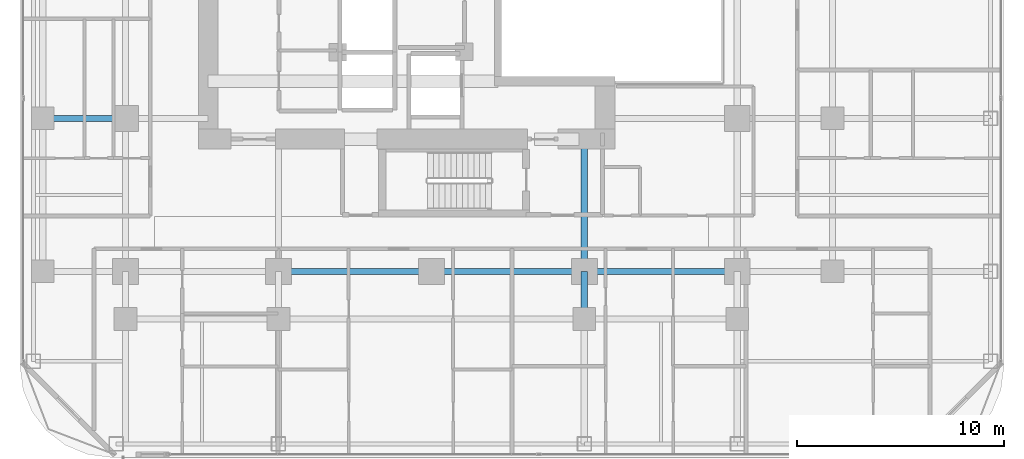
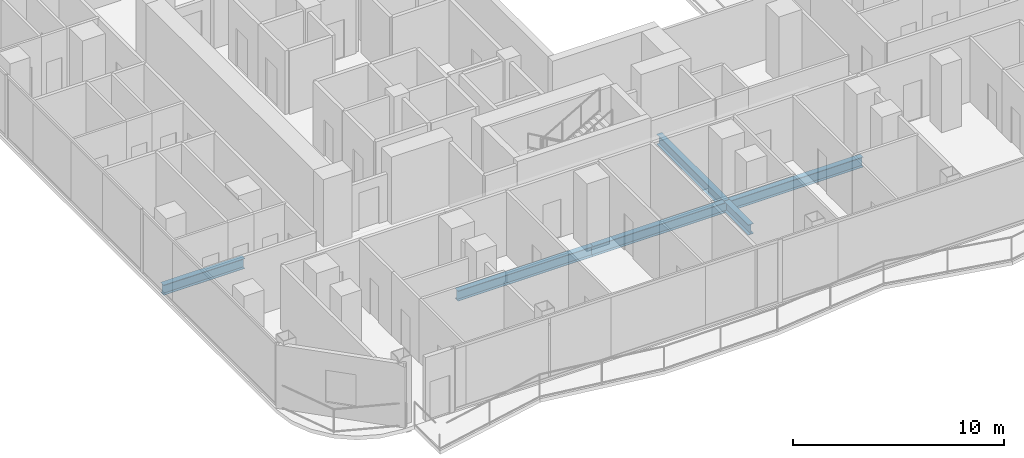
# One storey, part 5 of 29: 6 beams.
"""IFC4 building model written with IfcOpenShell, lengths in metres."""

from ifc_helpers import new_model, si_unit, direction, frame, origin, origin_2d, place, context, subcontext, project, spatial, i_section, extrude, material, material_profile, profile_set, type_object, element, save


model = new_model("IFC4")

# Units and contexts
model_context = context("Model", 3, precision=1e-05, world=origin(), true_north=direction((0.0, 1.0)))
body_context = subcontext(model_context, "Body", "Model", "MODEL_VIEW")
ifc_project = project(units=[si_unit("LENGTHUNIT", "METRE"), si_unit("AREAUNIT", "SQUARE_METRE"), si_unit("VOLUMEUNIT", "CUBIC_METRE"), si_unit("PLANEANGLEUNIT", "RADIAN"), si_unit("MASSUNIT", "GRAM", prefix="KILO")], contexts=[model_context])

# Site, building, storey
site_placement = place(None, origin())
site = spatial("IfcSite", under=ifc_project, at=site_placement, CompositionType="ELEMENT")
building_placement = place(site_placement, origin())
building = spatial("IfcBuilding", under=site, at=building_placement, Name="Khorvyn Point Tower", CompositionType="ELEMENT")
storey_placement = place(building_placement, frame((0.0, 0.0, 140.699951171875)))
storey = spatial("IfcBuildingStorey", under=building, at=storey_placement, Name="L35", CompositionType="ELEMENT", Elevation=140.699951171875)

# Beams
ifc_material = material(Name="Steel S355", Category="steel")
ifc_material_profile = material_profile(ifc_material, i_section(OverallWidth=0.300048828125, OverallDepth=0.587890625, WebThickness=0.011962890625, FlangeThickness=0.02001953125, at=origin_2d()))
ifc_profile_set = profile_set([ifc_material_profile], Name="Steel S355 H588x300x12x20")
beam_type = type_object("IfcBeamType", Name="Steel S355 Beam H588x300x12x20", PredefinedType="BEAM", material=ifc_profile_set)
for number, where, z_axis, x_axis, name in (
    (1, (-7.39990234375, -14.800048828125, -0.513916015625), (1.0, 0.0, 0.0), (0.0, 1.0, 0.0), "Beam"),
    (2, (0.0, -14.800048828125, -0.513916015625), (1.0, 0.0, 0.0), (0.0, 1.0, 0.0), "Beam"),
):
    element("IfcBeam", number, at=place(storey_placement, frame(where, z_axis=z_axis, x_axis=x_axis)), inside=storey, type_object=beam_type, Name=name, PredefinedType="BEAM", context=body_context, shape_type="SweptSolid", body=[
        extrude(i_section(OverallWidth=0.300048828125, OverallDepth=0.587890625, WebThickness=0.011962890625, FlangeThickness=0.02001953125, at=origin_2d()), origin(), (0.0, 0.0, 1.0), 7.39990234375),
    ])
beam_1_placement = place(storey_placement, frame((7.39990234375, -14.800048828125, -0.513916015625), z_axis=(1.0, 0.0, 0.0), x_axis=(0.0, 1.0, 0.0)))
element("IfcBeam", 3, at=beam_1_placement, inside=storey, type_object=beam_type, Name="Beam", PredefinedType="BEAM", context=body_context, shape_type="SweptSolid", body=[
    extrude(i_section(OverallWidth=0.300048828125, OverallDepth=0.587890625, WebThickness=0.011962890625, FlangeThickness=0.02001953125, at=origin_2d()), origin(), (0.0, 0.0, 1.0), 7.400146484375),
])
beam_2_placement = place(storey_placement, frame((-19.25, -7.39990234375, -0.513916015625), z_axis=(1.0, 0.0, 0.0), x_axis=(0.0, 1.0, 0.0)))
element("IfcBeam", 4, at=beam_2_placement, inside=storey, type_object=beam_type, Name="Beam", PredefinedType="BEAM", context=body_context, shape_type="SweptSolid", body=[
    extrude(i_section(OverallWidth=0.300048828125, OverallDepth=0.587890625, WebThickness=0.011962890625, FlangeThickness=0.02001953125, at=origin_2d()), origin(), (0.0, 0.0, 1.0), 4.449951171875),
])
beam_3_placement = place(storey_placement, frame((7.39990234375, -17.10009765625, -0.513916015625), z_axis=(0.0, 1.0, 0.0), x_axis=(-1.0, 0.0, 0.0)))
element("IfcBeam", 5, at=beam_3_placement, inside=storey, type_object=beam_type, Name="Beam", PredefinedType="BEAM", context=body_context, shape_type="SweptSolid", body=[
    extrude(i_section(OverallWidth=0.300048828125, OverallDepth=0.587890625, WebThickness=0.011962890625, FlangeThickness=0.02001953125, at=origin_2d()), origin(), (0.0, 0.0, 1.0), 2.300048828125),
])
beam_4_placement = place(storey_placement, frame((7.39990234375, -14.800048828125, -0.513916015625), z_axis=(0.0, 1.0, 0.0), x_axis=(-1.0, 0.0, 0.0)))
element("IfcBeam", 6, at=beam_4_placement, inside=storey, type_object=beam_type, Name="Beam", PredefinedType="BEAM", context=body_context, shape_type="SweptSolid", body=[
    extrude(i_section(OverallWidth=0.300048828125, OverallDepth=0.587890625, WebThickness=0.011962890625, FlangeThickness=0.02001953125, at=origin_2d()), origin(), (0.0, 0.0, 1.0), 6.400146484375),
])

save(model, "model.ifc")
